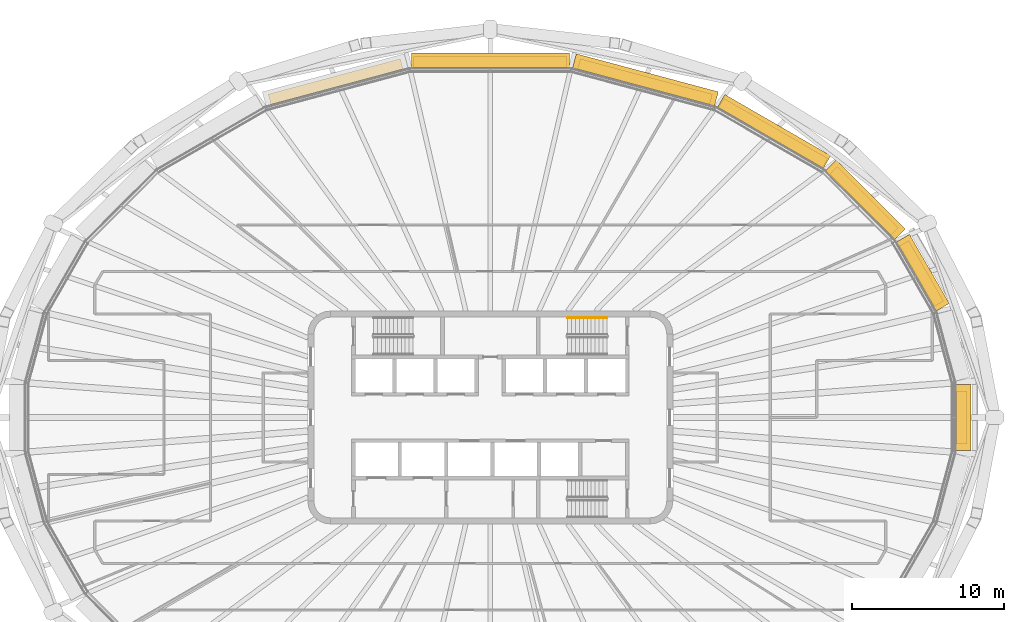
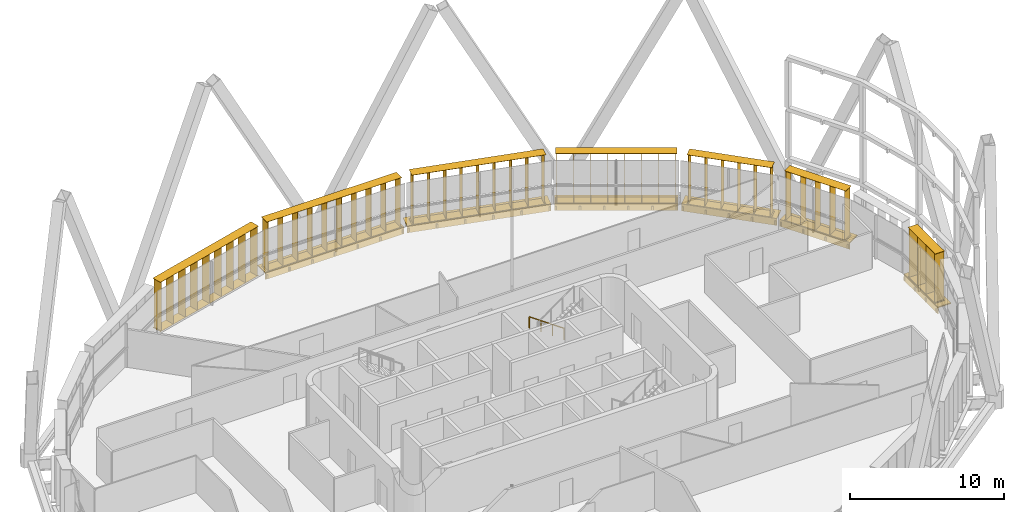
# One storey, part 23 of 23: 13 shading devices, 1 railing.
"""IFC4 building model written with IfcOpenShell, lengths in metres."""

from ifc_helpers import new_model, si_unit, direction, frame, origin, origin_2d, place, context, subcontext, project, spatial, rectangle, circle, extrude, material, type_object, element, save


model = new_model("IFC4")

# Units and contexts
model_context = context("Model", 3, precision=1e-05, world=origin(), true_north=direction((0.0, 1.0)))
body_context = subcontext(model_context, "Body", "Model", "MODEL_VIEW")
ifc_project = project(units=[si_unit("LENGTHUNIT", "METRE"), si_unit("AREAUNIT", "SQUARE_METRE"), si_unit("VOLUMEUNIT", "CUBIC_METRE"), si_unit("PLANEANGLEUNIT", "RADIAN"), si_unit("MASSUNIT", "GRAM", prefix="KILO")], contexts=[model_context])

# Site, building, storey
site_placement = place(None, origin())
site = spatial("IfcSite", under=ifc_project, at=site_placement, CompositionType="ELEMENT")
building_placement = place(site_placement, origin())
building = spatial("IfcBuilding", under=site, at=building_placement, Name="Sahrelin Media Tower", CompositionType="ELEMENT")
storey_placement = place(building_placement, frame((0.0, 0.0, 217.60009765625)))
storey = spatial("IfcBuildingStorey", under=building, at=storey_placement, Name="L46", CompositionType="ELEMENT", Elevation=217.60009765625)

# Shading devices
ifc_material_1 = material(Name="Champagne anodised aluminium 6063-T6", Category="aluminium")
shading_device_type_1 = type_object("IfcShadingDeviceType", Name="Fin cassette", PredefinedType="USERDEFINED", material=ifc_material_1)
placement_1 = place(storey_placement, frame((30.58251953125, 0.0, 0.0), z_axis=(0.0, 0.0, 1.0), x_axis=(0.0, -1.0, 0.0)))
element("IfcShadingDevice", 1, at=placement_1, inside=storey, type_object=shading_device_type_1, Name="L46:FIN:L46-00", ObjectType="FIN", PredefinedType="USERDEFINED", context=body_context, shape_type="SweptSolid", body=[
    extrude(rectangle(XDim=3.5, YDim=0.699951171875, at=origin_2d()), frame((0.0, 0.419921875, 0.0)), (0.0, 0.0, 1.0), 0.02001953125),
    extrude(rectangle(XDim=3.5, YDim=0.699951171875, at=origin_2d()), frame((0.0, 0.419921875, 3.89990234375)), (0.0, 0.0, 1.0), 0.02001953125),
    extrude(rectangle(XDim=0.02001953125, YDim=0.699951171875, at=origin_2d()), frame((-1.64990234375, 0.419921875, 0.010009765625), z_axis=(0.0, 0.0, 1.0), x_axis=(1.0, 0.0, 0.0)), (0.0, 0.0, 1.0), 3.89990234375),
    extrude(rectangle(XDim=0.02001953125, YDim=0.699951171875, at=origin_2d()), frame((-0.550048828125, 0.419921875, 0.010009765625), z_axis=(0.0, 0.0, 1.0), x_axis=(1.0, 0.0, 0.0)), (0.0, 0.0, 1.0), 3.89990234375),
    extrude(rectangle(XDim=0.02001953125, YDim=0.699951171875, at=origin_2d()), frame((0.550048828125, 0.419921875, 0.010009765625), z_axis=(0.0, 0.0, 1.0), x_axis=(1.0, 0.0, 0.0)), (0.0, 0.0, 1.0), 3.89990234375),
    extrude(rectangle(XDim=0.02001953125, YDim=0.699951171875, at=origin_2d()), frame((1.64990234375, 0.419921875, 0.010009765625), z_axis=(0.0, 0.0, 1.0), x_axis=(1.0, 0.0, 0.0)), (0.0, 0.0, 1.0), 3.89990234375),
])
placement_2 = place(storey_placement, frame((27.986083984375, 9.255859375, 0.0), z_axis=(0.0, 0.0, 1.0), x_axis=(0.500011000363, -0.866019052629, 0.0)))
element("IfcShadingDevice", 2, at=placement_2, inside=storey, type_object=shading_device_type_1, Name="L46:FIN:L46-02", ObjectType="FIN", PredefinedType="USERDEFINED", context=body_context, shape_type="SweptSolid", body=[
    extrude(rectangle(XDim=4.60009765625, YDim=0.699951171875, at=origin_2d()), frame((0.0, 0.419921875, 0.0)), (0.0, 0.0, 1.0), 0.02001953125),
    extrude(rectangle(XDim=4.60009765625, YDim=0.699951171875, at=origin_2d()), frame((0.0, 0.419921875, 3.89990234375)), (0.0, 0.0, 1.0), 0.02001953125),
    extrude(rectangle(XDim=0.02001953125, YDim=0.699951171875, at=origin_2d()), frame((-2.199951171875, 0.419921875, 0.010009765625), z_axis=(0.0, 0.0, 1.0), x_axis=(1.0, 0.0, 0.0)), (0.0, 0.0, 1.0), 3.89990234375),
    extrude(rectangle(XDim=0.02001953125, YDim=0.699951171875, at=origin_2d()), frame((-1.10009765625, 0.419921875, 0.010009765625), z_axis=(0.0, 0.0, 1.0), x_axis=(1.0, 0.0, 0.0)), (0.0, 0.0, 1.0), 3.89990234375),
    extrude(rectangle(XDim=0.02001953125, YDim=0.699951171875, at=origin_2d()), frame((0.0, 0.419921875, 0.010009765625), z_axis=(0.0, 0.0, 1.0), x_axis=(1.0, 0.0, 0.0)), (0.0, 0.0, 1.0), 3.89990234375),
    extrude(rectangle(XDim=0.02001953125, YDim=0.699951171875, at=origin_2d()), frame((1.10009765625, 0.419921875, 0.010009765625), z_axis=(0.0, 0.0, 1.0), x_axis=(1.0, 0.0, 0.0)), (0.0, 0.0, 1.0), 3.89990234375),
    extrude(rectangle(XDim=0.02001953125, YDim=0.699951171875, at=origin_2d()), frame((2.199951171875, 0.419921875, 0.010009765625), z_axis=(0.0, 0.0, 1.0), x_axis=(1.0, 0.0, 0.0)), (0.0, 0.0, 1.0), 3.89990234375),
])
placement_3 = place(storey_placement, frame((24.291015625, 13.9462890625, 0.0), z_axis=(0.0, 0.0, 1.0), x_axis=(0.707106781187, -0.707106781187, 0.0)))
element("IfcShadingDevice", 3, at=placement_3, inside=storey, type_object=shading_device_type_1, Name="L46:FIN:L46-03", ObjectType="FIN", PredefinedType="USERDEFINED", context=body_context, shape_type="SweptSolid", body=[
    extrude(rectangle(XDim=5.699951171875, YDim=0.699951171875, at=origin_2d()), frame((0.0, 0.419921875, 0.0)), (0.0, 0.0, 1.0), 0.02001953125),
    extrude(rectangle(XDim=5.699951171875, YDim=0.699951171875, at=origin_2d()), frame((0.0, 0.419921875, 3.89990234375)), (0.0, 0.0, 1.0), 0.02001953125),
    extrude(rectangle(XDim=0.02001953125, YDim=0.699951171875, at=origin_2d()), frame((-2.75, 0.419921875, 0.010009765625), z_axis=(0.0, 0.0, 1.0), x_axis=(1.0, 0.0, 0.0)), (0.0, 0.0, 1.0), 3.89990234375),
    extrude(rectangle(XDim=0.02001953125, YDim=0.699951171875, at=origin_2d()), frame((-1.64990234375, 0.419921875, 0.010009765625), z_axis=(0.0, 0.0, 1.0), x_axis=(1.0, 0.0, 0.0)), (0.0, 0.0, 1.0), 3.89990234375),
    extrude(rectangle(XDim=0.02001953125, YDim=0.699951171875, at=origin_2d()), frame((-0.550048828125, 0.419921875, 0.010009765625), z_axis=(0.0, 0.0, 1.0), x_axis=(1.0, 0.0, 0.0)), (0.0, 0.0, 1.0), 3.89990234375),
    extrude(rectangle(XDim=0.02001953125, YDim=0.699951171875, at=origin_2d()), frame((0.550048828125, 0.419921875, 0.010009765625), z_axis=(0.0, 0.0, 1.0), x_axis=(1.0, 0.0, 0.0)), (0.0, 0.0, 1.0), 3.89990234375),
    extrude(rectangle(XDim=0.02001953125, YDim=0.699951171875, at=origin_2d()), frame((1.64990234375, 0.419921875, 0.010009765625), z_axis=(0.0, 0.0, 1.0), x_axis=(1.0, 0.0, 0.0)), (0.0, 0.0, 1.0), 3.89990234375),
    extrude(rectangle(XDim=0.02001953125, YDim=0.699951171875, at=origin_2d()), frame((2.75, 0.419921875, 0.010009765625), z_axis=(0.0, 0.0, 1.0), x_axis=(1.0, 0.0, 0.0)), (0.0, 0.0, 1.0), 3.89990234375),
])
placement_4 = place(storey_placement, frame((18.39013671875, 18.34033203125, 0.0), z_axis=(0.0, 0.0, 1.0), x_axis=(0.866019052629, -0.500011000363, 0.0)))
element("IfcShadingDevice", 4, at=placement_4, inside=storey, type_object=shading_device_type_1, Name="L46:FIN:L46-04", ObjectType="FIN", PredefinedType="USERDEFINED", context=body_context, shape_type="SweptSolid", body=[
    extrude(rectangle(XDim=7.89990234375, YDim=0.699951171875, at=origin_2d()), frame((0.0, 0.419921875, 0.0)), (0.0, 0.0, 1.0), 0.02001953125),
    extrude(rectangle(XDim=7.89990234375, YDim=0.699951171875, at=origin_2d()), frame((0.0, 0.419921875, 3.89990234375)), (0.0, 0.0, 1.0), 0.02001953125),
    extrude(rectangle(XDim=0.02001953125, YDim=0.699951171875, at=origin_2d()), frame((-3.85009765625, 0.419921875, 0.010009765625), z_axis=(0.0, 0.0, 1.0), x_axis=(1.0, 0.0, 0.0)), (0.0, 0.0, 1.0), 3.89990234375),
    extrude(rectangle(XDim=0.02001953125, YDim=0.699951171875, at=origin_2d()), frame((-2.75, 0.419921875, 0.010009765625), z_axis=(0.0, 0.0, 1.0), x_axis=(1.0, 0.0, 0.0)), (0.0, 0.0, 1.0), 3.89990234375),
    extrude(rectangle(XDim=0.02001953125, YDim=0.699951171875, at=origin_2d()), frame((-1.64990234375, 0.419921875, 0.010009765625), z_axis=(0.0, 0.0, 1.0), x_axis=(1.0, 0.0, 0.0)), (0.0, 0.0, 1.0), 3.89990234375),
    extrude(rectangle(XDim=0.02001953125, YDim=0.699951171875, at=origin_2d()), frame((-0.550048828125, 0.419921875, 0.010009765625), z_axis=(0.0, 0.0, 1.0), x_axis=(1.0, 0.0, 0.0)), (0.0, 0.0, 1.0), 3.89990234375),
    extrude(rectangle(XDim=0.02001953125, YDim=0.699951171875, at=origin_2d()), frame((0.550048828125, 0.419921875, 0.010009765625), z_axis=(0.0, 0.0, 1.0), x_axis=(1.0, 0.0, 0.0)), (0.0, 0.0, 1.0), 3.89990234375),
    extrude(rectangle(XDim=0.02001953125, YDim=0.699951171875, at=origin_2d()), frame((1.64990234375, 0.419921875, 0.010009765625), z_axis=(0.0, 0.0, 1.0), x_axis=(1.0, 0.0, 0.0)), (0.0, 0.0, 1.0), 3.89990234375),
    extrude(rectangle(XDim=0.02001953125, YDim=0.699951171875, at=origin_2d()), frame((2.75, 0.419921875, 0.010009765625), z_axis=(0.0, 0.0, 1.0), x_axis=(1.0, 0.0, 0.0)), (0.0, 0.0, 1.0), 3.89990234375),
    extrude(rectangle(XDim=0.02001953125, YDim=0.699951171875, at=origin_2d()), frame((3.85009765625, 0.419921875, 0.010009765625), z_axis=(0.0, 0.0, 1.0), x_axis=(1.0, 0.0, 0.0)), (0.0, 0.0, 1.0), 3.89990234375),
])
placement_5 = place(storey_placement, frame((10.060302734375, 21.67529296875, 0.0), z_axis=(0.0, 0.0, 1.0), x_axis=(0.965928857556, -0.258807731996, 0.0)))
element("IfcShadingDevice", 5, at=placement_5, inside=storey, type_object=shading_device_type_1, Name="L46:FIN:L46-05", ObjectType="FIN", PredefinedType="USERDEFINED", context=body_context, shape_type="SweptSolid", body=[
    extrude(rectangle(XDim=9.0, YDim=0.699951171875, at=origin_2d()), frame((0.0, 0.419921875, 0.0)), (0.0, 0.0, 1.0), 0.02001953125),
    extrude(rectangle(XDim=9.0, YDim=0.699951171875, at=origin_2d()), frame((0.0, 0.419921875, 3.89990234375)), (0.0, 0.0, 1.0), 0.02001953125),
    extrude(rectangle(XDim=0.02001953125, YDim=0.699951171875, at=origin_2d()), frame((-4.39990234375, 0.419921875, 0.010009765625), z_axis=(0.0, 0.0, 1.0), x_axis=(1.0, 0.0, 0.0)), (0.0, 0.0, 1.0), 3.89990234375),
    extrude(rectangle(XDim=0.02001953125, YDim=0.699951171875, at=origin_2d()), frame((-3.300048828125, 0.419921875, 0.010009765625), z_axis=(0.0, 0.0, 1.0), x_axis=(1.0, 0.0, 0.0)), (0.0, 0.0, 1.0), 3.89990234375),
    extrude(rectangle(XDim=0.02001953125, YDim=0.699951171875, at=origin_2d()), frame((-2.199951171875, 0.419921875, 0.010009765625), z_axis=(0.0, 0.0, 1.0), x_axis=(1.0, 0.0, 0.0)), (0.0, 0.0, 1.0), 3.89990234375),
    extrude(rectangle(XDim=0.02001953125, YDim=0.699951171875, at=origin_2d()), frame((-1.10009765625, 0.419921875, 0.010009765625), z_axis=(0.0, 0.0, 1.0), x_axis=(1.0, 0.0, 0.0)), (0.0, 0.0, 1.0), 3.89990234375),
    extrude(rectangle(XDim=0.02001953125, YDim=0.699951171875, at=origin_2d()), frame((0.0, 0.419921875, 0.010009765625), z_axis=(0.0, 0.0, 1.0), x_axis=(1.0, 0.0, 0.0)), (0.0, 0.0, 1.0), 3.89990234375),
    extrude(rectangle(XDim=0.02001953125, YDim=0.699951171875, at=origin_2d()), frame((1.10009765625, 0.419921875, 0.010009765625), z_axis=(0.0, 0.0, 1.0), x_axis=(1.0, 0.0, 0.0)), (0.0, 0.0, 1.0), 3.89990234375),
    extrude(rectangle(XDim=0.02001953125, YDim=0.699951171875, at=origin_2d()), frame((2.199951171875, 0.419921875, 0.010009765625), z_axis=(0.0, 0.0, 1.0), x_axis=(1.0, 0.0, 0.0)), (0.0, 0.0, 1.0), 3.89990234375),
    extrude(rectangle(XDim=0.02001953125, YDim=0.699951171875, at=origin_2d()), frame((3.300048828125, 0.419921875, 0.010009765625), z_axis=(0.0, 0.0, 1.0), x_axis=(1.0, 0.0, 0.0)), (0.0, 0.0, 1.0), 3.89990234375),
    extrude(rectangle(XDim=0.02001953125, YDim=0.699951171875, at=origin_2d()), frame((4.39990234375, 0.419921875, 0.010009765625), z_axis=(0.0, 0.0, 1.0), x_axis=(1.0, 0.0, 0.0)), (0.0, 0.0, 1.0), 3.89990234375),
])
placement_6 = place(storey_placement, frame((0.0, 22.9521484375, 0.0), z_axis=(0.0, 0.0, 1.0), x_axis=(1.0, 0.0, 0.0)))
element("IfcShadingDevice", 6, at=placement_6, inside=storey, type_object=shading_device_type_1, Name="L46:FIN:L46-06", ObjectType="FIN", PredefinedType="USERDEFINED", context=body_context, shape_type="SweptSolid", body=[
    extrude(rectangle(XDim=10.10009765625, YDim=0.699951171875, at=origin_2d()), frame((0.0, 0.419921875, 0.0)), (0.0, 0.0, 1.0), 0.02001953125),
    extrude(rectangle(XDim=10.10009765625, YDim=0.699951171875, at=origin_2d()), frame((0.0, 0.419921875, 3.89990234375)), (0.0, 0.0, 1.0), 0.02001953125),
    extrude(rectangle(XDim=0.02001953125, YDim=0.699951171875, at=origin_2d()), frame((-4.949951171875, 0.419921875, 0.010009765625), z_axis=(0.0, 0.0, 1.0), x_axis=(1.0, 0.0, 0.0)), (0.0, 0.0, 1.0), 3.89990234375),
    extrude(rectangle(XDim=0.02001953125, YDim=0.699951171875, at=origin_2d()), frame((-3.85009765625, 0.419921875, 0.010009765625), z_axis=(0.0, 0.0, 1.0), x_axis=(1.0, 0.0, 0.0)), (0.0, 0.0, 1.0), 3.89990234375),
    extrude(rectangle(XDim=0.02001953125, YDim=0.699951171875, at=origin_2d()), frame((-2.75, 0.419921875, 0.010009765625), z_axis=(0.0, 0.0, 1.0), x_axis=(1.0, 0.0, 0.0)), (0.0, 0.0, 1.0), 3.89990234375),
    extrude(rectangle(XDim=0.02001953125, YDim=0.699951171875, at=origin_2d()), frame((-1.64990234375, 0.419921875, 0.010009765625), z_axis=(0.0, 0.0, 1.0), x_axis=(1.0, 0.0, 0.0)), (0.0, 0.0, 1.0), 3.89990234375),
    extrude(rectangle(XDim=0.02001953125, YDim=0.699951171875, at=origin_2d()), frame((-0.550048828125, 0.419921875, 0.010009765625), z_axis=(0.0, 0.0, 1.0), x_axis=(1.0, 0.0, 0.0)), (0.0, 0.0, 1.0), 3.89990234375),
    extrude(rectangle(XDim=0.02001953125, YDim=0.699951171875, at=origin_2d()), frame((0.550048828125, 0.419921875, 0.010009765625), z_axis=(0.0, 0.0, 1.0), x_axis=(1.0, 0.0, 0.0)), (0.0, 0.0, 1.0), 3.89990234375),
    extrude(rectangle(XDim=0.02001953125, YDim=0.699951171875, at=origin_2d()), frame((1.64990234375, 0.419921875, 0.010009765625), z_axis=(0.0, 0.0, 1.0), x_axis=(1.0, 0.0, 0.0)), (0.0, 0.0, 1.0), 3.89990234375),
    extrude(rectangle(XDim=0.02001953125, YDim=0.699951171875, at=origin_2d()), frame((2.75, 0.419921875, 0.010009765625), z_axis=(0.0, 0.0, 1.0), x_axis=(1.0, 0.0, 0.0)), (0.0, 0.0, 1.0), 3.89990234375),
    extrude(rectangle(XDim=0.02001953125, YDim=0.699951171875, at=origin_2d()), frame((3.85009765625, 0.419921875, 0.010009765625), z_axis=(0.0, 0.0, 1.0), x_axis=(1.0, 0.0, 0.0)), (0.0, 0.0, 1.0), 3.89990234375),
    extrude(rectangle(XDim=0.02001953125, YDim=0.699951171875, at=origin_2d()), frame((4.949951171875, 0.419921875, 0.010009765625), z_axis=(0.0, 0.0, 1.0), x_axis=(1.0, 0.0, 0.0)), (0.0, 0.0, 1.0), 3.89990234375),
])
shading_device_7_placement = place(storey_placement, frame((-10.060302734375, 21.67529296875, 0.0), z_axis=(0.0, 0.0, 1.0), x_axis=(0.965928857556, 0.258807731996, 0.0)))
element("IfcShadingDevice", 7, at=shading_device_7_placement, inside=storey, type_object=shading_device_type_1, Name="L46:FIN:L46-07", ObjectType="FIN", PredefinedType="USERDEFINED", context=body_context, shape_type="SweptSolid", body=[
    extrude(rectangle(XDim=9.0, YDim=0.699951171875, at=origin_2d()), frame((0.0, 0.419921875, 0.0)), (0.0, 0.0, 1.0), 0.02001953125),
    extrude(rectangle(XDim=9.0, YDim=0.699951171875, at=origin_2d()), frame((0.0, 0.419921875, 3.89990234375)), (0.0, 0.0, 1.0), 0.02001953125),
    extrude(rectangle(XDim=0.02001953125, YDim=0.699951171875, at=origin_2d()), frame((-4.39990234375, 0.419921875, 0.010009765625), z_axis=(0.0, 0.0, 1.0), x_axis=(1.0, 0.0, 0.0)), (0.0, 0.0, 1.0), 3.89990234375),
    extrude(rectangle(XDim=0.02001953125, YDim=0.699951171875, at=origin_2d()), frame((-3.300048828125, 0.419921875, 0.010009765625), z_axis=(0.0, 0.0, 1.0), x_axis=(1.0, 0.0, 0.0)), (0.0, 0.0, 1.0), 3.89990234375),
    extrude(rectangle(XDim=0.02001953125, YDim=0.699951171875, at=origin_2d()), frame((-2.199951171875, 0.419921875, 0.010009765625), z_axis=(0.0, 0.0, 1.0), x_axis=(1.0, 0.0, 0.0)), (0.0, 0.0, 1.0), 3.89990234375),
    extrude(rectangle(XDim=0.02001953125, YDim=0.699951171875, at=origin_2d()), frame((-1.10009765625, 0.419921875, 0.010009765625), z_axis=(0.0, 0.0, 1.0), x_axis=(1.0, 0.0, 0.0)), (0.0, 0.0, 1.0), 3.89990234375),
    extrude(rectangle(XDim=0.02001953125, YDim=0.699951171875, at=origin_2d()), frame((0.0, 0.419921875, 0.010009765625), z_axis=(0.0, 0.0, 1.0), x_axis=(1.0, 0.0, 0.0)), (0.0, 0.0, 1.0), 3.89990234375),
    extrude(rectangle(XDim=0.02001953125, YDim=0.699951171875, at=origin_2d()), frame((1.10009765625, 0.419921875, 0.010009765625), z_axis=(0.0, 0.0, 1.0), x_axis=(1.0, 0.0, 0.0)), (0.0, 0.0, 1.0), 3.89990234375),
    extrude(rectangle(XDim=0.02001953125, YDim=0.699951171875, at=origin_2d()), frame((2.199951171875, 0.419921875, 0.010009765625), z_axis=(0.0, 0.0, 1.0), x_axis=(1.0, 0.0, 0.0)), (0.0, 0.0, 1.0), 3.89990234375),
    extrude(rectangle(XDim=0.02001953125, YDim=0.699951171875, at=origin_2d()), frame((3.300048828125, 0.419921875, 0.010009765625), z_axis=(0.0, 0.0, 1.0), x_axis=(1.0, 0.0, 0.0)), (0.0, 0.0, 1.0), 3.89990234375),
    extrude(rectangle(XDim=0.02001953125, YDim=0.699951171875, at=origin_2d()), frame((4.39990234375, 0.419921875, 0.010009765625), z_axis=(0.0, 0.0, 1.0), x_axis=(1.0, 0.0, 0.0)), (0.0, 0.0, 1.0), 3.89990234375),
])

# Railing
ifc_material_2 = material(Name="Steel S355", Category="steel")
railing_type = type_object("IfcRailingType", Name="Stair handrail 900", PredefinedType="HANDRAIL", material=ifc_material_2)
railing_placement = place(storey_placement, frame((7.675048828125, 6.550048828125, 0.181640625)))
element("IfcRailing", 8, at=railing_placement, inside=storey, type_object=railing_type, Name="L46 ST3 stair handrail 1", PredefinedType="HANDRAIL", context=body_context, shape_type="SweptSolid", body=[
    extrude(circle(Radius=0.02392578125, at=origin_2d()), frame((0.0, 0.0, 0.8759765625), z_axis=(-0.819484887739, 0.0, 0.573100792852), x_axis=(0.0, -1.0, 0.0)), (0.0, 0.0, 1.0), 3.1728515625),
    extrude(circle(Radius=0.02099609375, at=origin_2d()), origin(), (0.0, 0.0, 1.0), 0.851806640625),
    extrude(circle(Radius=0.02099609375, at=origin_2d()), frame((-0.86669921875, 0.0, 0.606201171875)), (0.0, 0.0, 1.0), 0.851806640625),
    extrude(circle(Radius=0.02099609375, at=origin_2d()), frame((-1.7333984375, 0.0, 1.212158203125)), (0.0, 0.0, 1.0), 0.851806640625),
    extrude(circle(Radius=0.02099609375, at=origin_2d()), frame((-2.60009765625, 0.0, 1.818359375)), (0.0, 0.0, 1.0), 0.851806640625),
])

# Shading devices
shading_device_type_2 = type_object("IfcShadingDeviceType", Name="Sunshade band", PredefinedType="USERDEFINED", material=ifc_material_1)
element("IfcShadingDevice", 9, at=placement_1, inside=storey, type_object=shading_device_type_2, Name="L46:SUN:L46-00", ObjectType="SUNSHADE", PredefinedType="USERDEFINED", context=body_context, shape_type="SweptSolid", body=[
    extrude(rectangle(XDim=4.369873046875, YDim=0.050048828125, at=origin_2d()), frame((0.0, 0.044921875, -0.55126953125)), (0.0, 0.0, 1.0), 0.471435546875),
    extrude(rectangle(XDim=4.369873046875, YDim=1.0, at=origin_2d()), frame((0.0, 0.52001953125, -0.080078125)), (0.0, 0.0, 1.0), 0.080078125),
    extrude(rectangle(XDim=0.10009765625, YDim=0.074951171875, at=origin_2d()), frame((-2.0849609375, -0.017578125, -0.47021484375)), (0.0, 0.0, 1.0), 0.300048828125),
    extrude(rectangle(XDim=0.10009765625, YDim=0.074951171875, at=origin_2d()), frame((-0.695068359375, -0.017578125, -0.47021484375)), (0.0, 0.0, 1.0), 0.300048828125),
    extrude(rectangle(XDim=0.10009765625, YDim=0.074951171875, at=origin_2d()), frame((0.695068359375, -0.017578125, -0.47021484375)), (0.0, 0.0, 1.0), 0.300048828125),
    extrude(rectangle(XDim=0.10009765625, YDim=0.074951171875, at=origin_2d()), frame((2.0849609375, -0.017578125, -0.47021484375)), (0.0, 0.0, 1.0), 0.300048828125),
])
element("IfcShadingDevice", 10, at=placement_2, inside=storey, type_object=shading_device_type_2, Name="L46:SUN:L46-02", ObjectType="SUNSHADE", PredefinedType="USERDEFINED", context=body_context, shape_type="SweptSolid", body=[
    extrude(rectangle(XDim=5.238037109375, YDim=0.050048828125, at=origin_2d()), frame((0.0, 0.044921875, -0.55126953125)), (0.0, 0.0, 1.0), 0.471435546875),
    extrude(rectangle(XDim=5.238037109375, YDim=1.0, at=origin_2d()), frame((0.0, 0.52001953125, -0.080078125)), (0.0, 0.0, 1.0), 0.080078125),
    extrude(rectangle(XDim=0.10009765625, YDim=0.074951171875, at=origin_2d()), frame((-2.51904296875, -0.017578125, -0.47021484375)), (0.0, 0.0, 1.0), 0.300048828125),
    extrude(rectangle(XDim=0.10009765625, YDim=0.074951171875, at=origin_2d()), frame((-0.839599609375, -0.017578125, -0.47021484375)), (0.0, 0.0, 1.0), 0.300048828125),
    extrude(rectangle(XDim=0.10009765625, YDim=0.074951171875, at=origin_2d()), frame((0.839599609375, -0.017578125, -0.47021484375)), (0.0, 0.0, 1.0), 0.300048828125),
    extrude(rectangle(XDim=0.10009765625, YDim=0.074951171875, at=origin_2d()), frame((2.51904296875, -0.017578125, -0.47021484375)), (0.0, 0.0, 1.0), 0.300048828125),
])
element("IfcShadingDevice", 11, at=placement_3, inside=storey, type_object=shading_device_type_2, Name="L46:SUN:L46-03", ObjectType="SUNSHADE", PredefinedType="USERDEFINED", context=body_context, shape_type="SweptSolid", body=[
    extrude(rectangle(XDim=6.406494140625, YDim=0.050048828125, at=origin_2d()), frame((0.0, 0.044921875, -0.55126953125)), (0.0, 0.0, 1.0), 0.471435546875),
    extrude(rectangle(XDim=6.406494140625, YDim=1.0, at=origin_2d()), frame((0.0, 0.52001953125, -0.080078125)), (0.0, 0.0, 1.0), 0.080078125),
    extrude(rectangle(XDim=0.10009765625, YDim=0.074951171875, at=origin_2d()), frame((-3.103271484375, -0.017578125, -0.47021484375)), (0.0, 0.0, 1.0), 0.300048828125),
    extrude(rectangle(XDim=0.10009765625, YDim=0.074951171875, at=origin_2d()), frame((-1.551513671875, -0.017578125, -0.47021484375)), (0.0, 0.0, 1.0), 0.300048828125),
    extrude(rectangle(XDim=0.10009765625, YDim=0.074951171875, at=origin_2d()), frame((0.0, -0.017578125, -0.47021484375)), (0.0, 0.0, 1.0), 0.300048828125),
    extrude(rectangle(XDim=0.10009765625, YDim=0.074951171875, at=origin_2d()), frame((1.551513671875, -0.017578125, -0.47021484375)), (0.0, 0.0, 1.0), 0.300048828125),
    extrude(rectangle(XDim=0.10009765625, YDim=0.074951171875, at=origin_2d()), frame((3.103271484375, -0.017578125, -0.47021484375)), (0.0, 0.0, 1.0), 0.300048828125),
])
element("IfcShadingDevice", 12, at=placement_4, inside=storey, type_object=shading_device_type_2, Name="L46:SUN:L46-04", ObjectType="SUNSHADE", PredefinedType="USERDEFINED", context=body_context, shape_type="SweptSolid", body=[
    extrude(rectangle(XDim=8.033203125, YDim=0.050048828125, at=origin_2d()), frame((0.0, 0.044921875, -0.55126953125)), (0.0, 0.0, 1.0), 0.471435546875),
    extrude(rectangle(XDim=8.033203125, YDim=1.0, at=origin_2d()), frame((0.0, 0.52001953125, -0.080078125)), (0.0, 0.0, 1.0), 0.080078125),
    extrude(rectangle(XDim=0.10009765625, YDim=0.074951171875, at=origin_2d()), frame((-3.91650390625, -0.017578125, -0.47021484375)), (0.0, 0.0, 1.0), 0.300048828125),
    extrude(rectangle(XDim=0.10009765625, YDim=0.074951171875, at=origin_2d()), frame((-2.35009765625, -0.017578125, -0.47021484375)), (0.0, 0.0, 1.0), 0.300048828125),
    extrude(rectangle(XDim=0.10009765625, YDim=0.074951171875, at=origin_2d()), frame((-0.783203125, -0.017578125, -0.47021484375)), (0.0, 0.0, 1.0), 0.300048828125),
    extrude(rectangle(XDim=0.10009765625, YDim=0.074951171875, at=origin_2d()), frame((0.783203125, -0.017578125, -0.47021484375)), (0.0, 0.0, 1.0), 0.300048828125),
    extrude(rectangle(XDim=0.10009765625, YDim=0.074951171875, at=origin_2d()), frame((2.35009765625, -0.017578125, -0.47021484375)), (0.0, 0.0, 1.0), 0.300048828125),
    extrude(rectangle(XDim=0.10009765625, YDim=0.074951171875, at=origin_2d()), frame((3.91650390625, -0.017578125, -0.47021484375)), (0.0, 0.0, 1.0), 0.300048828125),
])
element("IfcShadingDevice", 13, at=placement_5, inside=storey, type_object=shading_device_type_2, Name="L46:SUN:L46-05", ObjectType="SUNSHADE", PredefinedType="USERDEFINED", context=body_context, shape_type="SweptSolid", body=[
    extrude(rectangle(XDim=9.66552734375, YDim=0.050048828125, at=origin_2d()), frame((0.0, 0.044921875, -0.55126953125)), (0.0, 0.0, 1.0), 0.471435546875),
    extrude(rectangle(XDim=9.66552734375, YDim=1.0, at=origin_2d()), frame((0.0, 0.52001953125, -0.080078125)), (0.0, 0.0, 1.0), 0.080078125),
    extrude(rectangle(XDim=0.10009765625, YDim=0.074951171875, at=origin_2d()), frame((-4.732666015625, -0.017578125, -0.47021484375)), (0.0, 0.0, 1.0), 0.300048828125),
    extrude(rectangle(XDim=0.10009765625, YDim=0.074951171875, at=origin_2d()), frame((-2.839599609375, -0.017578125, -0.47021484375)), (0.0, 0.0, 1.0), 0.300048828125),
    extrude(rectangle(XDim=0.10009765625, YDim=0.074951171875, at=origin_2d()), frame((-0.946533203125, -0.017578125, -0.47021484375)), (0.0, 0.0, 1.0), 0.300048828125),
    extrude(rectangle(XDim=0.10009765625, YDim=0.074951171875, at=origin_2d()), frame((0.946533203125, -0.017578125, -0.47021484375)), (0.0, 0.0, 1.0), 0.300048828125),
    extrude(rectangle(XDim=0.10009765625, YDim=0.074951171875, at=origin_2d()), frame((2.839599609375, -0.017578125, -0.47021484375)), (0.0, 0.0, 1.0), 0.300048828125),
    extrude(rectangle(XDim=0.10009765625, YDim=0.074951171875, at=origin_2d()), frame((4.732666015625, -0.017578125, -0.47021484375)), (0.0, 0.0, 1.0), 0.300048828125),
])
element("IfcShadingDevice", 14, at=placement_6, inside=storey, type_object=shading_device_type_2, Name="L46:SUN:L46-06", ObjectType="SUNSHADE", PredefinedType="USERDEFINED", context=body_context, shape_type="SweptSolid", body=[
    extrude(rectangle(XDim=10.3916015625, YDim=0.050048828125, at=origin_2d()), frame((0.0, 0.044921875, -0.55126953125)), (0.0, 0.0, 1.0), 0.471435546875),
    extrude(rectangle(XDim=10.3916015625, YDim=1.0, at=origin_2d()), frame((0.0, 0.52001953125, -0.080078125)), (0.0, 0.0, 1.0), 0.080078125),
    extrude(rectangle(XDim=0.10009765625, YDim=0.074951171875, at=origin_2d()), frame((-5.095703125, -0.017578125, -0.47021484375)), (0.0, 0.0, 1.0), 0.300048828125),
    extrude(rectangle(XDim=0.10009765625, YDim=0.074951171875, at=origin_2d()), frame((-3.397216796875, -0.017578125, -0.47021484375)), (0.0, 0.0, 1.0), 0.300048828125),
    extrude(rectangle(XDim=0.10009765625, YDim=0.074951171875, at=origin_2d()), frame((-1.698486328125, -0.017578125, -0.47021484375)), (0.0, 0.0, 1.0), 0.300048828125),
    extrude(rectangle(XDim=0.10009765625, YDim=0.074951171875, at=origin_2d()), frame((0.0, -0.017578125, -0.47021484375)), (0.0, 0.0, 1.0), 0.300048828125),
    extrude(rectangle(XDim=0.10009765625, YDim=0.074951171875, at=origin_2d()), frame((1.698486328125, -0.017578125, -0.47021484375)), (0.0, 0.0, 1.0), 0.300048828125),
    extrude(rectangle(XDim=0.10009765625, YDim=0.074951171875, at=origin_2d()), frame((3.397216796875, -0.017578125, -0.47021484375)), (0.0, 0.0, 1.0), 0.300048828125),
    extrude(rectangle(XDim=0.10009765625, YDim=0.074951171875, at=origin_2d()), frame((5.095703125, -0.017578125, -0.47021484375)), (0.0, 0.0, 1.0), 0.300048828125),
])

save(model, "model.ifc")
